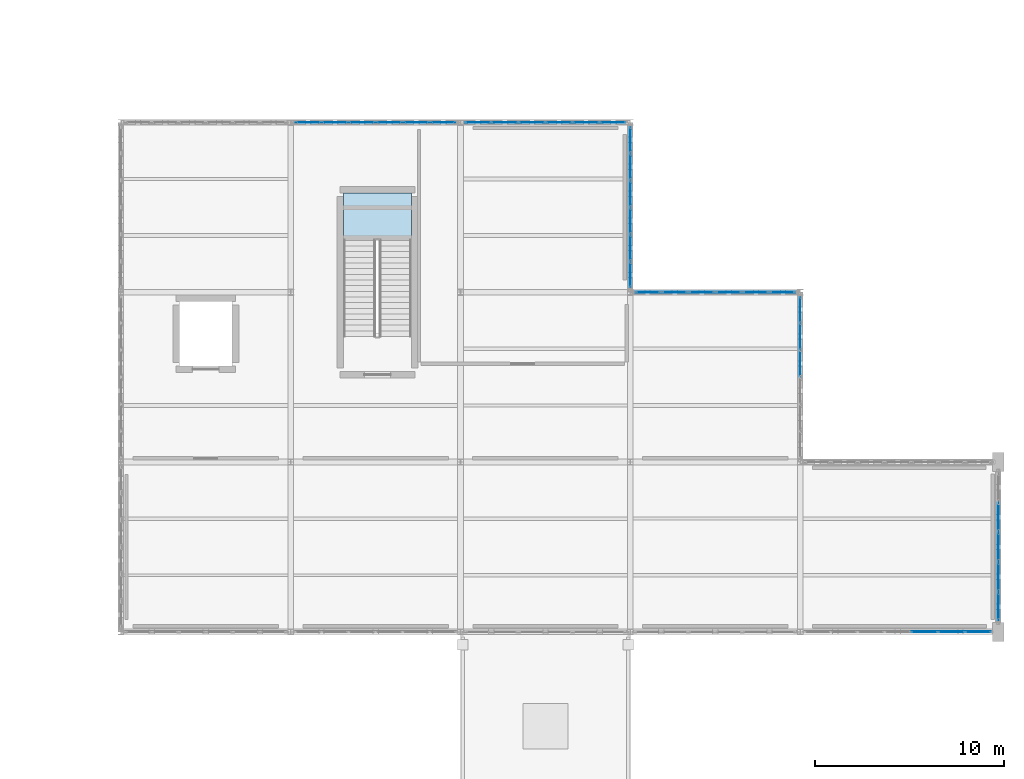
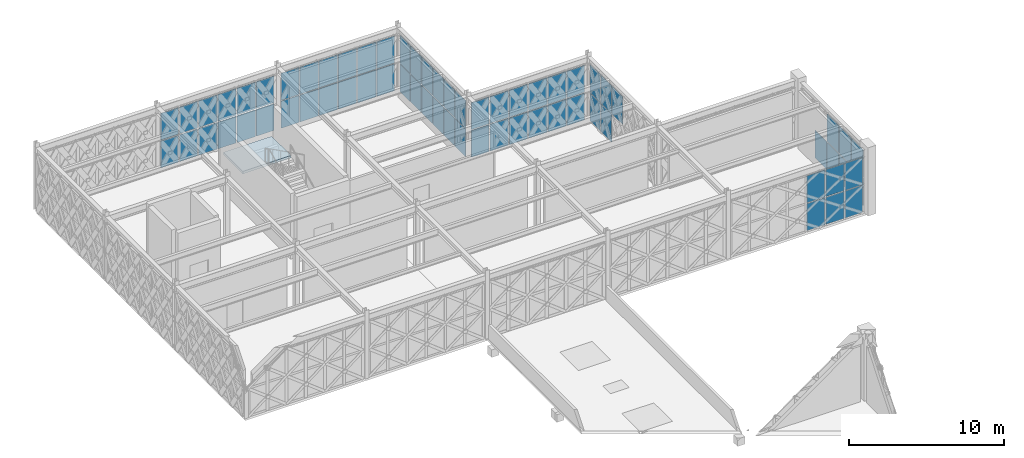
# One storey, part 130 of 155: 66 plates, 1 slab, 8 elements without a shape of their own.
"""IFC4 building model written with IfcOpenShell, lengths in metres."""

from ifc_helpers import new_model, si_unit, direction, frame, origin, origin_2d, place, context, subcontext, project, spatial, polyline, rectangle, outline, extrude, material, layer, layer_set, type_object, element, aggregate, save


model = new_model("IFC4")

# Units and contexts
model_context = context("Model", 3, precision=1e-05, world=origin(), true_north=direction((0.0, 1.0)))
body_context = subcontext(model_context, "Body", "Model", "MODEL_VIEW")
ifc_project = project(units=[si_unit("LENGTHUNIT", "METRE"), si_unit("AREAUNIT", "SQUARE_METRE"), si_unit("VOLUMEUNIT", "CUBIC_METRE"), si_unit("PLANEANGLEUNIT", "RADIAN"), si_unit("MASSUNIT", "GRAM", prefix="KILO")], contexts=[model_context])

# Site, building, storey
site_placement = place(None, origin())
site = spatial("IfcSite", under=ifc_project, at=site_placement, CompositionType="ELEMENT")
building_placement = place(site_placement, origin())
building = spatial("IfcBuilding", under=site, at=building_placement, Name="Haizhuo Lancet Aquarium", CompositionType="ELEMENT")
storey_placement = place(building_placement, frame((0.0, 0.0, 10.800048828125)))
storey = spatial("IfcBuildingStorey", under=building, at=storey_placement, Name="L02", CompositionType="ELEMENT", Elevation=10.800048828125)

# Curtain wall, plates
ifc_material_1 = material(Name="Aluminium 6063-T6", Category="aluminium")
curtain_wall_type_1 = type_object("IfcCurtainWallType", Name="CWD-8610x4460", PredefinedType="NOTDEFINED", material=ifc_material_1)
curtain_wall_1_placement = place(storey_placement, origin())
curtain_wall_1 = element("IfcCurtainWall", 1, at=curtain_wall_1_placement, inside=storey, type_object=curtain_wall_type_1, Name="L02 curtain wall CW-V7-L02-297", PredefinedType="NOTDEFINED")
ifc_material_2 = material(Name="Laminated Low-E Glass", Category="glass")
ifc_layer_1 = layer(ifc_material_2, 0.028076171875)
ifc_layer_set_1 = layer_set([ifc_layer_1], Name="Laminated Low-E Glass")
plate_type_1 = type_object("IfcPlateType", Name="CW-PNL-1", PredefinedType="CURTAIN_PANEL", material=ifc_layer_set_1)
plate_1_placement = place(storey_placement, frame((45.931884765625, 36.0, 0.08056640625), z_axis=(0.0, 0.0, 1.0), x_axis=(1.0, 0.0, 0.0)))
plate_1 = element("IfcPlate", 2, at=plate_1_placement, type_object=plate_type_1, Name="CWD-86x44 panel 1.1", PredefinedType="CURTAIN_PANEL", context=body_context, shape_type="SweptSolid", body=[
    extrude(rectangle(XDim=1.31494140625, YDim=0.028076171875, at=origin_2d()), origin(), (0.0, 0.0, 1.0), 2.111083984375),
])
plate_2_placement = place(storey_placement, frame((45.931884765625, 36.0, 2.271484375), z_axis=(0.0, 0.0, 1.0), x_axis=(1.0, 0.0, 0.0)))
plate_2 = element("IfcPlate", 3, at=plate_2_placement, type_object=plate_type_1, Name="CWD-86x44 panel 1.2", PredefinedType="CURTAIN_PANEL", context=body_context, shape_type="SweptSolid", body=[
    extrude(rectangle(XDim=1.31494140625, YDim=0.028076171875, at=origin_2d()), origin(), (0.0, 0.0, 1.0), 2.111083984375),
])
plate_3_placement = place(storey_placement, frame((47.346923828125, 36.0, 0.08056640625), z_axis=(0.0, 0.0, 1.0), x_axis=(1.0, 0.0, 0.0)))
plate_3 = element("IfcPlate", 4, at=plate_3_placement, type_object=plate_type_1, Name="CWD-86x44 panel 2.1", PredefinedType="CURTAIN_PANEL", context=body_context, shape_type="SweptSolid", body=[
    extrude(rectangle(XDim=1.35498046875, YDim=0.028076171875, at=origin_2d()), origin(), (0.0, 0.0, 1.0), 2.111083984375),
])
plate_4_placement = place(storey_placement, frame((47.346923828125, 36.0, 2.271484375), z_axis=(0.0, 0.0, 1.0), x_axis=(1.0, 0.0, 0.0)))
plate_4 = element("IfcPlate", 5, at=plate_4_placement, type_object=plate_type_1, Name="CWD-86x44 panel 2.2", PredefinedType="CURTAIN_PANEL", context=body_context, shape_type="SweptSolid", body=[
    extrude(rectangle(XDim=1.35498046875, YDim=0.028076171875, at=origin_2d()), origin(), (0.0, 0.0, 1.0), 2.111083984375),
])
plate_5_placement = place(storey_placement, frame((48.781982421875, 36.0, 0.08056640625), z_axis=(0.0, 0.0, 1.0), x_axis=(1.0, 0.0, 0.0)))
plate_5 = element("IfcPlate", 6, at=plate_5_placement, type_object=plate_type_1, Name="CWD-86x44 panel 3.1", PredefinedType="CURTAIN_PANEL", context=body_context, shape_type="SweptSolid", body=[
    extrude(rectangle(XDim=1.35498046875, YDim=0.028076171875, at=origin_2d()), origin(), (0.0, 0.0, 1.0), 2.111083984375),
])
plate_6_placement = place(storey_placement, frame((48.781982421875, 36.0, 2.271484375), z_axis=(0.0, 0.0, 1.0), x_axis=(1.0, 0.0, 0.0)))
plate_6 = element("IfcPlate", 7, at=plate_6_placement, type_object=plate_type_1, Name="CWD-86x44 panel 3.2", PredefinedType="CURTAIN_PANEL", context=body_context, shape_type="SweptSolid", body=[
    extrude(rectangle(XDim=1.35498046875, YDim=0.028076171875, at=origin_2d()), origin(), (0.0, 0.0, 1.0), 2.111083984375),
])
plate_7_placement = place(storey_placement, frame((50.218017578125, 36.0, 0.08056640625), z_axis=(0.0, 0.0, 1.0), x_axis=(1.0, 0.0, 0.0)))
plate_7 = element("IfcPlate", 8, at=plate_7_placement, type_object=plate_type_1, Name="CWD-86x44 panel 4.1", PredefinedType="CURTAIN_PANEL", context=body_context, shape_type="SweptSolid", body=[
    extrude(rectangle(XDim=1.35498046875, YDim=0.028076171875, at=origin_2d()), origin(), (0.0, 0.0, 1.0), 2.111083984375),
])
plate_8_placement = place(storey_placement, frame((50.218017578125, 36.0, 2.271484375), z_axis=(0.0, 0.0, 1.0), x_axis=(1.0, 0.0, 0.0)))
plate_8 = element("IfcPlate", 9, at=plate_8_placement, type_object=plate_type_1, Name="CWD-86x44 panel 4.2", PredefinedType="CURTAIN_PANEL", context=body_context, shape_type="SweptSolid", body=[
    extrude(rectangle(XDim=1.35498046875, YDim=0.028076171875, at=origin_2d()), origin(), (0.0, 0.0, 1.0), 2.111083984375),
])
plate_9_placement = place(storey_placement, frame((51.653076171875, 36.0, 0.08056640625), z_axis=(0.0, 0.0, 1.0), x_axis=(1.0, 0.0, 0.0)))
plate_9 = element("IfcPlate", 10, at=plate_9_placement, type_object=plate_type_1, Name="CWD-86x44 panel 5.1", PredefinedType="CURTAIN_PANEL", context=body_context, shape_type="SweptSolid", body=[
    extrude(rectangle(XDim=1.35498046875, YDim=0.028076171875, at=origin_2d()), origin(), (0.0, 0.0, 1.0), 2.111083984375),
])
plate_10_placement = place(storey_placement, frame((51.653076171875, 36.0, 2.271484375), z_axis=(0.0, 0.0, 1.0), x_axis=(1.0, 0.0, 0.0)))
plate_10 = element("IfcPlate", 11, at=plate_10_placement, type_object=plate_type_1, Name="CWD-86x44 panel 5.2", PredefinedType="CURTAIN_PANEL", context=body_context, shape_type="SweptSolid", body=[
    extrude(rectangle(XDim=1.35498046875, YDim=0.028076171875, at=origin_2d()), origin(), (0.0, 0.0, 1.0), 2.111083984375),
])
plate_11_placement = place(storey_placement, frame((53.068115234375, 36.0, 0.08056640625), z_axis=(0.0, 0.0, 1.0), x_axis=(1.0, 0.0, 0.0)))
plate_11 = element("IfcPlate", 12, at=plate_11_placement, type_object=plate_type_1, Name="CWD-86x44 panel 6.1", PredefinedType="CURTAIN_PANEL", context=body_context, shape_type="SweptSolid", body=[
    extrude(rectangle(XDim=1.31494140625, YDim=0.028076171875, at=origin_2d()), origin(), (0.0, 0.0, 1.0), 2.111083984375),
])
plate_12_placement = place(storey_placement, frame((53.068115234375, 36.0, 2.271484375), z_axis=(0.0, 0.0, 1.0), x_axis=(1.0, 0.0, 0.0)))
plate_12 = element("IfcPlate", 13, at=plate_12_placement, type_object=plate_type_1, Name="CWD-86x44 panel 6.2", PredefinedType="CURTAIN_PANEL", context=body_context, shape_type="SweptSolid", body=[
    extrude(rectangle(XDim=1.31494140625, YDim=0.028076171875, at=origin_2d()), origin(), (0.0, 0.0, 1.0), 2.111083984375),
])
aggregate(curtain_wall_1, [plate_1, plate_2, plate_3, plate_4, plate_5, plate_6, plate_7, plate_8, plate_9, plate_10, plate_11, plate_12])

curtain_wall_type_2 = type_object("IfcCurtainWallType", Name="CWD-8610x4560", PredefinedType="NOTDEFINED", material=ifc_material_1)
curtain_wall_2_placement = place(storey_placement, origin())
curtain_wall_2 = element("IfcCurtainWall", 14, at=curtain_wall_2_placement, inside=storey, type_object=curtain_wall_type_2, Name="L02 curtain wall CW-V7-L02-301", PredefinedType="NOTDEFINED")
plate_13_placement = place(storey_placement, frame((72.0, 26.071044921875, 0.0654296875), z_axis=(0.0, 0.0, 1.0), x_axis=(0.0, -1.0, 0.0)))
plate_13 = element("IfcPlate", 15, at=plate_13_placement, type_object=plate_type_1, Name="CWD-86x45 panel 1.1", PredefinedType="CURTAIN_PANEL", context=body_context, shape_type="SweptSolid", body=[
    extrude(rectangle(XDim=1.3369140625, YDim=0.028076171875, at=origin_2d()), origin(), (0.0, 0.0, 1.0), 2.18310546875),
])
plate_14_placement = place(storey_placement, frame((72.0, 26.071044921875, 2.3134765625), z_axis=(0.0, 0.0, 1.0), x_axis=(0.0, -1.0, 0.0)))
plate_14 = element("IfcPlate", 16, at=plate_14_placement, type_object=plate_type_1, Name="CWD-86x45 panel 1.2", PredefinedType="CURTAIN_PANEL", context=body_context, shape_type="SweptSolid", body=[
    extrude(rectangle(XDim=1.3369140625, YDim=0.028076171875, at=origin_2d()), origin(), (0.0, 0.0, 1.0), 2.18310546875),
])
plate_15_placement = place(storey_placement, frame((72.0, 24.652099609375, 0.0654296875), z_axis=(0.0, 0.0, 1.0), x_axis=(0.0, -1.0, 0.0)))
plate_15 = element("IfcPlate", 17, at=plate_15_placement, type_object=plate_type_1, Name="CWD-86x45 panel 2.1", PredefinedType="CURTAIN_PANEL", context=body_context, shape_type="SweptSolid", body=[
    extrude(rectangle(XDim=1.3701171875, YDim=0.028076171875, at=origin_2d()), origin(), (0.0, 0.0, 1.0), 2.18310546875),
])
plate_16_placement = place(storey_placement, frame((72.0, 24.652099609375, 2.3134765625), z_axis=(0.0, 0.0, 1.0), x_axis=(0.0, -1.0, 0.0)))
plate_16 = element("IfcPlate", 18, at=plate_16_placement, type_object=plate_type_1, Name="CWD-86x45 panel 2.2", PredefinedType="CURTAIN_PANEL", context=body_context, shape_type="SweptSolid", body=[
    extrude(rectangle(XDim=1.3701171875, YDim=0.028076171875, at=origin_2d()), origin(), (0.0, 0.0, 1.0), 2.18310546875),
])
plate_17_placement = place(storey_placement, frame((72.0, 23.218017578125, 2.3134765625), z_axis=(0.0, 0.0, 1.0), x_axis=(0.0, -1.0, 0.0)))
plate_17 = element("IfcPlate", 19, at=plate_17_placement, type_object=plate_type_1, Name="CWD-86x45 panel 3.2", PredefinedType="CURTAIN_PANEL", context=body_context, shape_type="SweptSolid", body=[
    extrude(rectangle(XDim=1.3701171875, YDim=0.028076171875, at=origin_2d()), origin(), (0.0, 0.0, 1.0), 2.18310546875),
])
aggregate(curtain_wall_2, [plate_13, plate_14, plate_15, plate_16, plate_17])

curtain_wall_3_placement = place(storey_placement, origin())
curtain_wall_3 = element("IfcCurtainWall", 20, at=curtain_wall_3_placement, inside=storey, type_object=curtain_wall_type_1, Name="L02 curtain wall CW-V7-L02-298", PredefinedType="NOTDEFINED")
ifc_layer_2 = layer(ifc_material_2, 0.033935546875)
ifc_layer_set_2 = layer_set([ifc_layer_2], Name="Laminated Low-E Glass")
plate_type_2 = type_object("IfcPlateType", Name="CW-PNL-2", PredefinedType="CURTAIN_PANEL", material=ifc_layer_set_2)
plate_18_placement = place(storey_placement, frame((54.928955078125, 36.0, 0.0654296875), z_axis=(0.0, 0.0, 1.0), x_axis=(1.0, 0.0, 0.0)))
plate_18 = element("IfcPlate", 21, at=plate_18_placement, type_object=plate_type_2, Name="CWD-86x44 panel 1.1", PredefinedType="CURTAIN_PANEL", context=body_context, shape_type="SweptSolid", body=[
    extrude(rectangle(XDim=1.3369140625, YDim=0.033935546875, at=origin_2d()), origin(), (0.0, 0.0, 1.0), 2.133056640625),
])
plate_19_placement = place(storey_placement, frame((54.928955078125, 36.0, 2.26318359375), z_axis=(0.0, 0.0, 1.0), x_axis=(1.0, 0.0, 0.0)))
plate_19 = element("IfcPlate", 22, at=plate_19_placement, type_object=plate_type_2, Name="CWD-86x44 panel 1.2", PredefinedType="CURTAIN_PANEL", context=body_context, shape_type="SweptSolid", body=[
    extrude(rectangle(XDim=1.3369140625, YDim=0.033935546875, at=origin_2d()), origin(), (0.0, 0.0, 1.0), 2.133056640625),
])
plate_20_placement = place(storey_placement, frame((56.346923828125, 36.0, 0.0654296875), z_axis=(0.0, 0.0, 1.0), x_axis=(1.0, 0.0, 0.0)))
plate_20 = element("IfcPlate", 23, at=plate_20_placement, type_object=plate_type_2, Name="CWD-86x44 panel 2.1", PredefinedType="CURTAIN_PANEL", context=body_context, shape_type="SweptSolid", body=[
    extrude(rectangle(XDim=1.3701171875, YDim=0.033935546875, at=origin_2d()), origin(), (0.0, 0.0, 1.0), 2.133056640625),
])
plate_21_placement = place(storey_placement, frame((56.346923828125, 36.0, 2.26318359375), z_axis=(0.0, 0.0, 1.0), x_axis=(1.0, 0.0, 0.0)))
plate_21 = element("IfcPlate", 24, at=plate_21_placement, type_object=plate_type_2, Name="CWD-86x44 panel 2.2", PredefinedType="CURTAIN_PANEL", context=body_context, shape_type="SweptSolid", body=[
    extrude(rectangle(XDim=1.3701171875, YDim=0.033935546875, at=origin_2d()), origin(), (0.0, 0.0, 1.0), 2.133056640625),
])
plate_22_placement = place(storey_placement, frame((57.781982421875, 36.0, 0.0654296875), z_axis=(0.0, 0.0, 1.0), x_axis=(1.0, 0.0, 0.0)))
plate_22 = element("IfcPlate", 25, at=plate_22_placement, type_object=plate_type_2, Name="CWD-86x44 panel 3.1", PredefinedType="CURTAIN_PANEL", context=body_context, shape_type="SweptSolid", body=[
    extrude(rectangle(XDim=1.3701171875, YDim=0.033935546875, at=origin_2d()), origin(), (0.0, 0.0, 1.0), 2.133056640625),
])
plate_23_placement = place(storey_placement, frame((57.781982421875, 36.0, 2.26318359375), z_axis=(0.0, 0.0, 1.0), x_axis=(1.0, 0.0, 0.0)))
plate_23 = element("IfcPlate", 26, at=plate_23_placement, type_object=plate_type_2, Name="CWD-86x44 panel 3.2", PredefinedType="CURTAIN_PANEL", context=body_context, shape_type="SweptSolid", body=[
    extrude(rectangle(XDim=1.3701171875, YDim=0.033935546875, at=origin_2d()), origin(), (0.0, 0.0, 1.0), 2.133056640625),
])
plate_24_placement = place(storey_placement, frame((59.218017578125, 36.0, 0.0654296875), z_axis=(0.0, 0.0, 1.0), x_axis=(1.0, 0.0, 0.0)))
plate_24 = element("IfcPlate", 27, at=plate_24_placement, type_object=plate_type_2, Name="CWD-86x44 panel 4.1", PredefinedType="CURTAIN_PANEL", context=body_context, shape_type="SweptSolid", body=[
    extrude(rectangle(XDim=1.3701171875, YDim=0.033935546875, at=origin_2d()), origin(), (0.0, 0.0, 1.0), 2.133056640625),
])
plate_25_placement = place(storey_placement, frame((59.218017578125, 36.0, 2.26318359375), z_axis=(0.0, 0.0, 1.0), x_axis=(1.0, 0.0, 0.0)))
plate_25 = element("IfcPlate", 28, at=plate_25_placement, type_object=plate_type_2, Name="CWD-86x44 panel 4.2", PredefinedType="CURTAIN_PANEL", context=body_context, shape_type="SweptSolid", body=[
    extrude(rectangle(XDim=1.3701171875, YDim=0.033935546875, at=origin_2d()), origin(), (0.0, 0.0, 1.0), 2.133056640625),
])
plate_26_placement = place(storey_placement, frame((60.653076171875, 36.0, 0.0654296875), z_axis=(0.0, 0.0, 1.0), x_axis=(1.0, 0.0, 0.0)))
plate_26 = element("IfcPlate", 29, at=plate_26_placement, type_object=plate_type_2, Name="CWD-86x44 panel 5.1", PredefinedType="CURTAIN_PANEL", context=body_context, shape_type="SweptSolid", body=[
    extrude(rectangle(XDim=1.3701171875, YDim=0.033935546875, at=origin_2d()), origin(), (0.0, 0.0, 1.0), 2.133056640625),
])
plate_27_placement = place(storey_placement, frame((60.653076171875, 36.0, 2.26318359375), z_axis=(0.0, 0.0, 1.0), x_axis=(1.0, 0.0, 0.0)))
plate_27 = element("IfcPlate", 30, at=plate_27_placement, type_object=plate_type_2, Name="CWD-86x44 panel 5.2", PredefinedType="CURTAIN_PANEL", context=body_context, shape_type="SweptSolid", body=[
    extrude(rectangle(XDim=1.3701171875, YDim=0.033935546875, at=origin_2d()), origin(), (0.0, 0.0, 1.0), 2.133056640625),
])
plate_28_placement = place(storey_placement, frame((62.071044921875, 36.0, 0.0654296875), z_axis=(0.0, 0.0, 1.0), x_axis=(1.0, 0.0, 0.0)))
plate_28 = element("IfcPlate", 31, at=plate_28_placement, type_object=plate_type_2, Name="CWD-86x44 panel 6.1", PredefinedType="CURTAIN_PANEL", context=body_context, shape_type="SweptSolid", body=[
    extrude(rectangle(XDim=1.3369140625, YDim=0.033935546875, at=origin_2d()), origin(), (0.0, 0.0, 1.0), 2.133056640625),
])
plate_29_placement = place(storey_placement, frame((62.071044921875, 36.0, 2.26318359375), z_axis=(0.0, 0.0, 1.0), x_axis=(1.0, 0.0, 0.0)))
plate_29 = element("IfcPlate", 32, at=plate_29_placement, type_object=plate_type_2, Name="CWD-86x44 panel 6.2", PredefinedType="CURTAIN_PANEL", context=body_context, shape_type="SweptSolid", body=[
    extrude(rectangle(XDim=1.3369140625, YDim=0.033935546875, at=origin_2d()), origin(), (0.0, 0.0, 1.0), 2.133056640625),
])
aggregate(curtain_wall_3, [plate_18, plate_19, plate_20, plate_21, plate_22, plate_23, plate_24, plate_25, plate_26, plate_27, plate_28, plate_29])

curtain_wall_4_placement = place(storey_placement, origin())
curtain_wall_4 = element("IfcCurtainWall", 33, at=curtain_wall_4_placement, inside=storey, type_object=curtain_wall_type_2, Name="L02 curtain wall CW-V7-L02-299", PredefinedType="NOTDEFINED")
ifc_layer_3 = layer(ifc_material_2, 0.0419921875)
ifc_layer_set_3 = layer_set([ifc_layer_3], Name="Laminated Low-E Glass")
plate_type_3 = type_object("IfcPlateType", Name="CW-PNL-3", PredefinedType="CURTAIN_PANEL", material=ifc_layer_set_3)
plate_30_placement = place(storey_placement, frame((63.0, 35.069091796875, 0.074951171875), z_axis=(0.0, 0.0, 1.0), x_axis=(0.0, -1.0, 0.0)))
plate_30 = element("IfcPlate", 34, at=plate_30_placement, type_object=plate_type_3, Name="CWD-86x45 panel 1.1", PredefinedType="CURTAIN_PANEL", context=body_context, shape_type="SweptSolid", body=[
    extrude(rectangle(XDim=1.322021484375, YDim=0.0419921875, at=origin_2d()), origin(), (0.0, 0.0, 1.0), 2.16796875),
])
plate_31_placement = place(storey_placement, frame((63.0, 35.069091796875, 2.318359375), z_axis=(0.0, 0.0, 1.0), x_axis=(0.0, -1.0, 0.0)))
plate_31 = element("IfcPlate", 35, at=plate_31_placement, type_object=plate_type_3, Name="CWD-86x45 panel 1.2", PredefinedType="CURTAIN_PANEL", context=body_context, shape_type="SweptSolid", body=[
    extrude(rectangle(XDim=1.322021484375, YDim=0.0419921875, at=origin_2d()), origin(), (0.0, 0.0, 1.0), 2.1689453125),
])
plate_32_placement = place(storey_placement, frame((63.0, 33.653076171875, 0.074951171875), z_axis=(0.0, 0.0, 1.0), x_axis=(0.0, -1.0, 0.0)))
plate_32 = element("IfcPlate", 36, at=plate_32_placement, type_object=plate_type_3, Name="CWD-86x45 panel 2.1", PredefinedType="CURTAIN_PANEL", context=body_context, shape_type="SweptSolid", body=[
    extrude(rectangle(XDim=1.360107421875, YDim=0.0419921875, at=origin_2d()), origin(), (0.0, 0.0, 1.0), 2.16796875),
])
plate_33_placement = place(storey_placement, frame((63.0, 33.653076171875, 2.318359375), z_axis=(0.0, 0.0, 1.0), x_axis=(0.0, -1.0, 0.0)))
plate_33 = element("IfcPlate", 37, at=plate_33_placement, type_object=plate_type_3, Name="CWD-86x45 panel 2.2", PredefinedType="CURTAIN_PANEL", context=body_context, shape_type="SweptSolid", body=[
    extrude(rectangle(XDim=1.360107421875, YDim=0.0419921875, at=origin_2d()), origin(), (0.0, 0.0, 1.0), 2.1689453125),
])
plate_34_placement = place(storey_placement, frame((63.0, 32.218017578125, 0.074951171875), z_axis=(0.0, 0.0, 1.0), x_axis=(0.0, -1.0, 0.0)))
plate_34 = element("IfcPlate", 38, at=plate_34_placement, type_object=plate_type_3, Name="CWD-86x45 panel 3.1", PredefinedType="CURTAIN_PANEL", context=body_context, shape_type="SweptSolid", body=[
    extrude(rectangle(XDim=1.360107421875, YDim=0.0419921875, at=origin_2d()), origin(), (0.0, 0.0, 1.0), 2.16796875),
])
plate_35_placement = place(storey_placement, frame((63.0, 32.218017578125, 2.318359375), z_axis=(0.0, 0.0, 1.0), x_axis=(0.0, -1.0, 0.0)))
plate_35 = element("IfcPlate", 39, at=plate_35_placement, type_object=plate_type_3, Name="CWD-86x45 panel 3.2", PredefinedType="CURTAIN_PANEL", context=body_context, shape_type="SweptSolid", body=[
    extrude(rectangle(XDim=1.360107421875, YDim=0.0419921875, at=origin_2d()), origin(), (0.0, 0.0, 1.0), 2.1689453125),
])
plate_36_placement = place(storey_placement, frame((63.0, 30.781982421875, 0.074951171875), z_axis=(0.0, 0.0, 1.0), x_axis=(0.0, -1.0, 0.0)))
plate_36 = element("IfcPlate", 40, at=plate_36_placement, type_object=plate_type_3, Name="CWD-86x45 panel 4.1", PredefinedType="CURTAIN_PANEL", context=body_context, shape_type="SweptSolid", body=[
    extrude(rectangle(XDim=1.360107421875, YDim=0.0419921875, at=origin_2d()), origin(), (0.0, 0.0, 1.0), 2.16796875),
])
plate_37_placement = place(storey_placement, frame((63.0, 30.781982421875, 2.318359375), z_axis=(0.0, 0.0, 1.0), x_axis=(0.0, -1.0, 0.0)))
plate_37 = element("IfcPlate", 41, at=plate_37_placement, type_object=plate_type_3, Name="CWD-86x45 panel 4.2", PredefinedType="CURTAIN_PANEL", context=body_context, shape_type="SweptSolid", body=[
    extrude(rectangle(XDim=1.360107421875, YDim=0.0419921875, at=origin_2d()), origin(), (0.0, 0.0, 1.0), 2.1689453125),
])
plate_38_placement = place(storey_placement, frame((63.0, 29.347900390625, 0.074951171875), z_axis=(0.0, 0.0, 1.0), x_axis=(0.0, -1.0, 0.0)))
plate_38 = element("IfcPlate", 42, at=plate_38_placement, type_object=plate_type_3, Name="CWD-86x45 panel 5.1", PredefinedType="CURTAIN_PANEL", context=body_context, shape_type="SweptSolid", body=[
    extrude(rectangle(XDim=1.360107421875, YDim=0.0419921875, at=origin_2d()), origin(), (0.0, 0.0, 1.0), 2.16796875),
])
plate_39_placement = place(storey_placement, frame((63.0, 29.347900390625, 2.318359375), z_axis=(0.0, 0.0, 1.0), x_axis=(0.0, -1.0, 0.0)))
plate_39 = element("IfcPlate", 43, at=plate_39_placement, type_object=plate_type_3, Name="CWD-86x45 panel 5.2", PredefinedType="CURTAIN_PANEL", context=body_context, shape_type="SweptSolid", body=[
    extrude(rectangle(XDim=1.360107421875, YDim=0.0419921875, at=origin_2d()), origin(), (0.0, 0.0, 1.0), 2.1689453125),
])
plate_40_placement = place(storey_placement, frame((63.0, 27.930908203125, 0.074951171875), z_axis=(0.0, 0.0, 1.0), x_axis=(0.0, -1.0, 0.0)))
plate_40 = element("IfcPlate", 44, at=plate_40_placement, type_object=plate_type_3, Name="CWD-86x45 panel 6.1", PredefinedType="CURTAIN_PANEL", context=body_context, shape_type="SweptSolid", body=[
    extrude(rectangle(XDim=1.322998046875, YDim=0.0419921875, at=origin_2d()), origin(), (0.0, 0.0, 1.0), 2.16796875),
])
plate_41_placement = place(storey_placement, frame((63.0, 27.930908203125, 2.318359375), z_axis=(0.0, 0.0, 1.0), x_axis=(0.0, -1.0, 0.0)))
plate_41 = element("IfcPlate", 45, at=plate_41_placement, type_object=plate_type_3, Name="CWD-86x45 panel 6.2", PredefinedType="CURTAIN_PANEL", context=body_context, shape_type="SweptSolid", body=[
    extrude(rectangle(XDim=1.322998046875, YDim=0.0419921875, at=origin_2d()), origin(), (0.0, 0.0, 1.0), 2.1689453125),
])
aggregate(curtain_wall_4, [plate_30, plate_31, plate_32, plate_33, plate_34, plate_35, plate_36, plate_37, plate_38, plate_39, plate_40, plate_41])

curtain_wall_type_3 = type_object("IfcCurtainWallType", Name="CWD-7910x4560", PredefinedType="NOTDEFINED", material=ifc_material_1)
curtain_wall_5_placement = place(storey_placement, origin())
curtain_wall_5 = element("IfcCurtainWall", 46, at=curtain_wall_5_placement, inside=storey, type_object=curtain_wall_type_3, Name="L02 curtain wall CW-V7-L02-303", PredefinedType="NOTDEFINED")
plate_42_placement = place(storey_placement, frame((82.5, 15.08203125, 0.07958984375), z_axis=(0.0, 0.0, 1.0), x_axis=(0.0, -1.0, 0.0)))
plate_42 = element("IfcPlate", 47, at=plate_42_placement, type_object=plate_type_3, Name="CWD-79x45 panel 2.1", PredefinedType="CURTAIN_PANEL", context=body_context, shape_type="SweptSolid", body=[
    extrude(rectangle(XDim=1.501953125, YDim=0.0419921875, at=origin_2d()), origin(), (0.0, 0.0, 1.0), 2.160888671875),
])
plate_43_placement = place(storey_placement, frame((82.5, 13.5, 0.07958984375), z_axis=(0.0, 0.0, 1.0), x_axis=(0.0, -1.0, 0.0)))
plate_43 = element("IfcPlate", 48, at=plate_43_placement, type_object=plate_type_3, Name="CWD-79x45 panel 3.1", PredefinedType="CURTAIN_PANEL", context=body_context, shape_type="SweptSolid", body=[
    extrude(rectangle(XDim=1.501953125, YDim=0.0419921875, at=origin_2d()), origin(), (0.0, 0.0, 1.0), 2.160888671875),
])
plate_44_placement = place(storey_placement, frame((82.5, 13.5, 2.3203125), z_axis=(0.0, 0.0, 1.0), x_axis=(0.0, -1.0, 0.0)))
plate_44 = element("IfcPlate", 49, at=plate_44_placement, type_object=plate_type_3, Name="CWD-79x45 panel 3.2", PredefinedType="CURTAIN_PANEL", context=body_context, shape_type="SweptSolid", body=[
    extrude(rectangle(XDim=1.501953125, YDim=0.0419921875, at=origin_2d()), origin(), (0.0, 0.0, 1.0), 2.160888671875),
])
plate_45_placement = place(storey_placement, frame((82.5, 11.91796875, 0.07958984375), z_axis=(0.0, 0.0, 1.0), x_axis=(0.0, -1.0, 0.0)))
plate_45 = element("IfcPlate", 50, at=plate_45_placement, type_object=plate_type_3, Name="CWD-79x45 panel 4.1", PredefinedType="CURTAIN_PANEL", context=body_context, shape_type="SweptSolid", body=[
    extrude(rectangle(XDim=1.501953125, YDim=0.0419921875, at=origin_2d()), origin(), (0.0, 0.0, 1.0), 2.160888671875),
])
plate_46_placement = place(storey_placement, frame((82.5, 11.91796875, 2.3203125), z_axis=(0.0, 0.0, 1.0), x_axis=(0.0, -1.0, 0.0)))
plate_46 = element("IfcPlate", 51, at=plate_46_placement, type_object=plate_type_3, Name="CWD-79x45 panel 4.2", PredefinedType="CURTAIN_PANEL", context=body_context, shape_type="SweptSolid", body=[
    extrude(rectangle(XDim=1.501953125, YDim=0.0419921875, at=origin_2d()), origin(), (0.0, 0.0, 1.0), 2.160888671875),
])
plate_47_placement = place(storey_placement, frame((82.5, 10.35595703125, 0.07958984375), z_axis=(0.0, 0.0, 1.0), x_axis=(0.0, -1.0, 0.0)))
plate_47 = element("IfcPlate", 52, at=plate_47_placement, type_object=plate_type_3, Name="CWD-79x45 panel 5.1", PredefinedType="CURTAIN_PANEL", context=body_context, shape_type="SweptSolid", body=[
    extrude(rectangle(XDim=1.4619140625, YDim=0.0419921875, at=origin_2d()), origin(), (0.0, 0.0, 1.0), 2.160888671875),
])
plate_48_placement = place(storey_placement, frame((82.5, 10.35595703125, 2.3203125), z_axis=(0.0, 0.0, 1.0), x_axis=(0.0, -1.0, 0.0)))
plate_48 = element("IfcPlate", 53, at=plate_48_placement, type_object=plate_type_3, Name="CWD-79x45 panel 5.2", PredefinedType="CURTAIN_PANEL", context=body_context, shape_type="SweptSolid", body=[
    extrude(rectangle(XDim=1.4619140625, YDim=0.0419921875, at=origin_2d()), origin(), (0.0, 0.0, 1.0), 2.160888671875),
])
aggregate(curtain_wall_5, [plate_42, plate_43, plate_44, plate_45, plate_46, plate_47, plate_48])

curtain_wall_6_placement = place(storey_placement, origin())
curtain_wall_6 = element("IfcCurtainWall", 54, at=curtain_wall_6_placement, inside=storey, type_object=curtain_wall_type_1, Name="L02 curtain wall CW-V7-L02-300", PredefinedType="NOTDEFINED")
ifc_layer_4 = layer(ifc_material_2, 0.052001953125)
ifc_layer_set_4 = layer_set([ifc_layer_4], Name="Laminated Low-E Glass")
plate_type_4 = type_object("IfcPlateType", Name="CW-PNL-4", PredefinedType="CURTAIN_PANEL", material=ifc_layer_set_4)
plate_49_placement = place(storey_placement, frame((63.931884765625, 27.0, 0.08056640625), z_axis=(0.0, 0.0, 1.0), x_axis=(1.0, 0.0, 0.0)))
plate_49 = element("IfcPlate", 55, at=plate_49_placement, type_object=plate_type_4, Name="CWD-86x44 panel 1.1", PredefinedType="CURTAIN_PANEL", context=body_context, shape_type="SweptSolid", body=[
    extrude(rectangle(XDim=1.31494140625, YDim=0.052001953125, at=origin_2d()), origin(), (0.0, 0.0, 1.0), 2.111083984375),
])
plate_50_placement = place(storey_placement, frame((63.931884765625, 27.0, 2.271484375), z_axis=(0.0, 0.0, 1.0), x_axis=(1.0, 0.0, 0.0)))
plate_50 = element("IfcPlate", 56, at=plate_50_placement, type_object=plate_type_4, Name="CWD-86x44 panel 1.2", PredefinedType="CURTAIN_PANEL", context=body_context, shape_type="SweptSolid", body=[
    extrude(rectangle(XDim=1.31494140625, YDim=0.052001953125, at=origin_2d()), origin(), (0.0, 0.0, 1.0), 2.111083984375),
])
plate_51_placement = place(storey_placement, frame((65.346923828125, 27.0, 0.08056640625), z_axis=(0.0, 0.0, 1.0), x_axis=(1.0, 0.0, 0.0)))
plate_51 = element("IfcPlate", 57, at=plate_51_placement, type_object=plate_type_4, Name="CWD-86x44 panel 2.1", PredefinedType="CURTAIN_PANEL", context=body_context, shape_type="SweptSolid", body=[
    extrude(rectangle(XDim=1.35498046875, YDim=0.052001953125, at=origin_2d()), origin(), (0.0, 0.0, 1.0), 2.111083984375),
])
plate_52_placement = place(storey_placement, frame((65.346923828125, 27.0, 2.271484375), z_axis=(0.0, 0.0, 1.0), x_axis=(1.0, 0.0, 0.0)))
plate_52 = element("IfcPlate", 58, at=plate_52_placement, type_object=plate_type_4, Name="CWD-86x44 panel 2.2", PredefinedType="CURTAIN_PANEL", context=body_context, shape_type="SweptSolid", body=[
    extrude(rectangle(XDim=1.35498046875, YDim=0.052001953125, at=origin_2d()), origin(), (0.0, 0.0, 1.0), 2.111083984375),
])
plate_53_placement = place(storey_placement, frame((66.781982421875, 27.0, 0.08056640625), z_axis=(0.0, 0.0, 1.0), x_axis=(1.0, 0.0, 0.0)))
plate_53 = element("IfcPlate", 59, at=plate_53_placement, type_object=plate_type_4, Name="CWD-86x44 panel 3.1", PredefinedType="CURTAIN_PANEL", context=body_context, shape_type="SweptSolid", body=[
    extrude(rectangle(XDim=1.35498046875, YDim=0.052001953125, at=origin_2d()), origin(), (0.0, 0.0, 1.0), 2.111083984375),
])
plate_54_placement = place(storey_placement, frame((66.781982421875, 27.0, 2.271484375), z_axis=(0.0, 0.0, 1.0), x_axis=(1.0, 0.0, 0.0)))
plate_54 = element("IfcPlate", 60, at=plate_54_placement, type_object=plate_type_4, Name="CWD-86x44 panel 3.2", PredefinedType="CURTAIN_PANEL", context=body_context, shape_type="SweptSolid", body=[
    extrude(rectangle(XDim=1.35498046875, YDim=0.052001953125, at=origin_2d()), origin(), (0.0, 0.0, 1.0), 2.111083984375),
])
plate_55_placement = place(storey_placement, frame((68.218017578125, 27.0, 0.08056640625), z_axis=(0.0, 0.0, 1.0), x_axis=(1.0, 0.0, 0.0)))
plate_55 = element("IfcPlate", 61, at=plate_55_placement, type_object=plate_type_4, Name="CWD-86x44 panel 4.1", PredefinedType="CURTAIN_PANEL", context=body_context, shape_type="SweptSolid", body=[
    extrude(rectangle(XDim=1.35498046875, YDim=0.052001953125, at=origin_2d()), origin(), (0.0, 0.0, 1.0), 2.111083984375),
])
plate_56_placement = place(storey_placement, frame((68.218017578125, 27.0, 2.271484375), z_axis=(0.0, 0.0, 1.0), x_axis=(1.0, 0.0, 0.0)))
plate_56 = element("IfcPlate", 62, at=plate_56_placement, type_object=plate_type_4, Name="CWD-86x44 panel 4.2", PredefinedType="CURTAIN_PANEL", context=body_context, shape_type="SweptSolid", body=[
    extrude(rectangle(XDim=1.35498046875, YDim=0.052001953125, at=origin_2d()), origin(), (0.0, 0.0, 1.0), 2.111083984375),
])
plate_57_placement = place(storey_placement, frame((69.653076171875, 27.0, 0.08056640625), z_axis=(0.0, 0.0, 1.0), x_axis=(1.0, 0.0, 0.0)))
plate_57 = element("IfcPlate", 63, at=plate_57_placement, type_object=plate_type_4, Name="CWD-86x44 panel 5.1", PredefinedType="CURTAIN_PANEL", context=body_context, shape_type="SweptSolid", body=[
    extrude(rectangle(XDim=1.35498046875, YDim=0.052001953125, at=origin_2d()), origin(), (0.0, 0.0, 1.0), 2.111083984375),
])
plate_58_placement = place(storey_placement, frame((69.653076171875, 27.0, 2.271484375), z_axis=(0.0, 0.0, 1.0), x_axis=(1.0, 0.0, 0.0)))
plate_58 = element("IfcPlate", 64, at=plate_58_placement, type_object=plate_type_4, Name="CWD-86x44 panel 5.2", PredefinedType="CURTAIN_PANEL", context=body_context, shape_type="SweptSolid", body=[
    extrude(rectangle(XDim=1.35498046875, YDim=0.052001953125, at=origin_2d()), origin(), (0.0, 0.0, 1.0), 2.111083984375),
])
plate_59_placement = place(storey_placement, frame((71.068115234375, 27.0, 0.08056640625), z_axis=(0.0, 0.0, 1.0), x_axis=(1.0, 0.0, 0.0)))
plate_59 = element("IfcPlate", 65, at=plate_59_placement, type_object=plate_type_4, Name="CWD-86x44 panel 6.1", PredefinedType="CURTAIN_PANEL", context=body_context, shape_type="SweptSolid", body=[
    extrude(rectangle(XDim=1.31494140625, YDim=0.052001953125, at=origin_2d()), origin(), (0.0, 0.0, 1.0), 2.111083984375),
])
plate_60_placement = place(storey_placement, frame((71.068115234375, 27.0, 2.271484375), z_axis=(0.0, 0.0, 1.0), x_axis=(1.0, 0.0, 0.0)))
plate_60 = element("IfcPlate", 66, at=plate_60_placement, type_object=plate_type_4, Name="CWD-86x44 panel 6.2", PredefinedType="CURTAIN_PANEL", context=body_context, shape_type="SweptSolid", body=[
    extrude(rectangle(XDim=1.31494140625, YDim=0.052001953125, at=origin_2d()), origin(), (0.0, 0.0, 1.0), 2.111083984375),
])
aggregate(curtain_wall_6, [plate_49, plate_50, plate_51, plate_52, plate_53, plate_54, plate_55, plate_56, plate_57, plate_58, plate_59, plate_60])

curtain_wall_type_4 = type_object("IfcCurtainWallType", Name="CWO-9960x4460", PredefinedType="NOTDEFINED", material=ifc_material_1)
curtain_wall_7_placement = place(storey_placement, origin())
curtain_wall_7 = element("IfcCurtainWall", 67, at=curtain_wall_7_placement, inside=storey, type_object=curtain_wall_type_4, Name="L02 curtain wall CW-V7-L02-304", PredefinedType="NOTDEFINED")
plate_61_placement = place(storey_placement, frame((81.427001953125, 9.0, 0.0654296875), z_axis=(0.0, 0.0, 1.0), x_axis=(-1.0, 0.0, 0.0)))
plate_61 = element("IfcPlate", 68, at=plate_61_placement, type_object=plate_type_4, Name="CWO-99x44 panel 1.1", PredefinedType="CURTAIN_PANEL", context=body_context, shape_type="SweptSolid", body=[
    extrude(rectangle(XDim=1.324951171875, YDim=0.052001953125, at=origin_2d()), origin(), (0.0, 0.0, 1.0), 2.133056640625),
])
plate_62_placement = place(storey_placement, frame((81.427001953125, 9.0, 2.26318359375), z_axis=(0.0, 0.0, 1.0), x_axis=(-1.0, 0.0, 0.0)))
plate_62 = element("IfcPlate", 69, at=plate_62_placement, type_object=plate_type_4, Name="CWO-99x44 panel 1.2", PredefinedType="CURTAIN_PANEL", context=body_context, shape_type="SweptSolid", body=[
    extrude(rectangle(XDim=1.324951171875, YDim=0.052001953125, at=origin_2d()), origin(), (0.0, 0.0, 1.0), 2.133056640625),
])
plate_63_placement = place(storey_placement, frame((80.02099609375, 9.0, 0.0654296875), z_axis=(0.0, 0.0, 1.0), x_axis=(-1.0, 0.0, 0.0)))
plate_63 = element("IfcPlate", 70, at=plate_63_placement, type_object=plate_type_4, Name="CWO-99x44 panel 2.1", PredefinedType="CURTAIN_PANEL", context=body_context, shape_type="SweptSolid", body=[
    extrude(rectangle(XDim=1.35791015625, YDim=0.052001953125, at=origin_2d()), origin(), (0.0, 0.0, 1.0), 2.133056640625),
])
plate_64_placement = place(storey_placement, frame((80.02099609375, 9.0, 2.26318359375), z_axis=(0.0, 0.0, 1.0), x_axis=(-1.0, 0.0, 0.0)))
plate_64 = element("IfcPlate", 71, at=plate_64_placement, type_object=plate_type_4, Name="CWO-99x44 panel 2.2", PredefinedType="CURTAIN_PANEL", context=body_context, shape_type="SweptSolid", body=[
    extrude(rectangle(XDim=1.35791015625, YDim=0.052001953125, at=origin_2d()), origin(), (0.0, 0.0, 1.0), 2.133056640625),
])
plate_65_placement = place(storey_placement, frame((78.597900390625, 9.0, 0.0654296875), z_axis=(0.0, 0.0, 1.0), x_axis=(-1.0, 0.0, 0.0)))
plate_65 = element("IfcPlate", 72, at=plate_65_placement, type_object=plate_type_4, Name="CWO-99x44 panel 3.1", PredefinedType="CURTAIN_PANEL", context=body_context, shape_type="SweptSolid", body=[
    extrude(rectangle(XDim=1.35791015625, YDim=0.052001953125, at=origin_2d()), origin(), (0.0, 0.0, 1.0), 2.133056640625),
])
plate_66_placement = place(storey_placement, frame((78.597900390625, 9.0, 2.26318359375), z_axis=(0.0, 0.0, 1.0), x_axis=(-1.0, 0.0, 0.0)))
plate_66 = element("IfcPlate", 73, at=plate_66_placement, type_object=plate_type_4, Name="CWO-99x44 panel 3.2", PredefinedType="CURTAIN_PANEL", context=body_context, shape_type="SweptSolid", body=[
    extrude(rectangle(XDim=1.35791015625, YDim=0.052001953125, at=origin_2d()), origin(), (0.0, 0.0, 1.0), 2.133056640625),
])
aggregate(curtain_wall_7, [plate_61, plate_62, plate_63, plate_64, plate_65, plate_66])

# Stair, slab
ifc_material_3 = material(Name="Concrete C40/50", Category="concrete")
stair_type = type_object("IfcStairType", Name="STR-HT-1700-54", PredefinedType="HALF_TURN_STAIR", material=ifc_material_3)
stair_placement = place(storey_placement, origin())
stair = element("IfcStair", 74, at=stair_placement, inside=storey, type_object=stair_type, Name="L02 enclosed exit stair ST-10", PredefinedType="HALF_TURN_STAIR")
ifc_layer_5 = layer(ifc_material_3, 0.199951171875)
ifc_layer_set_5 = layer_set([ifc_layer_5], Name="Concrete C40/50")
slab_type = type_object("IfcSlabType", Name="SLB-LND-1700", PredefinedType="LANDING", material=ifc_layer_set_5)
slab_placement = place(storey_placement, frame((0.0, 0.0, 2.5)))
slab = element("IfcSlab", 75, at=slab_placement, type_object=slab_type, Name="ST-35 landing 1", PredefinedType="LANDING", context=body_context, shape_type="SweptSolid", body=[
    extrude(outline(polyline([(51.39990234375, 29.75), (51.39990234375, 32.25), (47.800048828125, 32.25), (47.800048828125, 29.75), (51.39990234375, 29.75)])), origin(), (0.0, 0.0, 1.0), 0.199951171875),
])
aggregate(stair, [slab])

save(model, "model.ifc")
